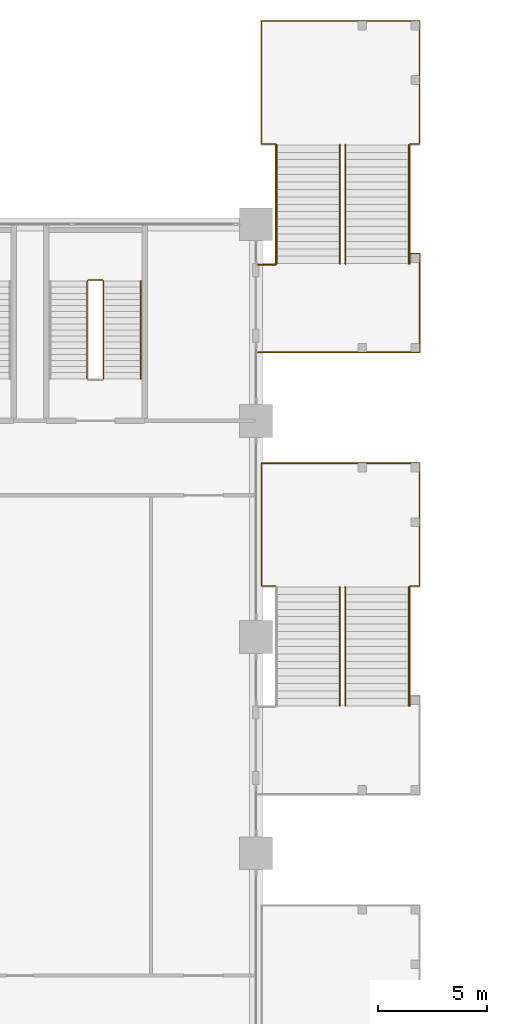
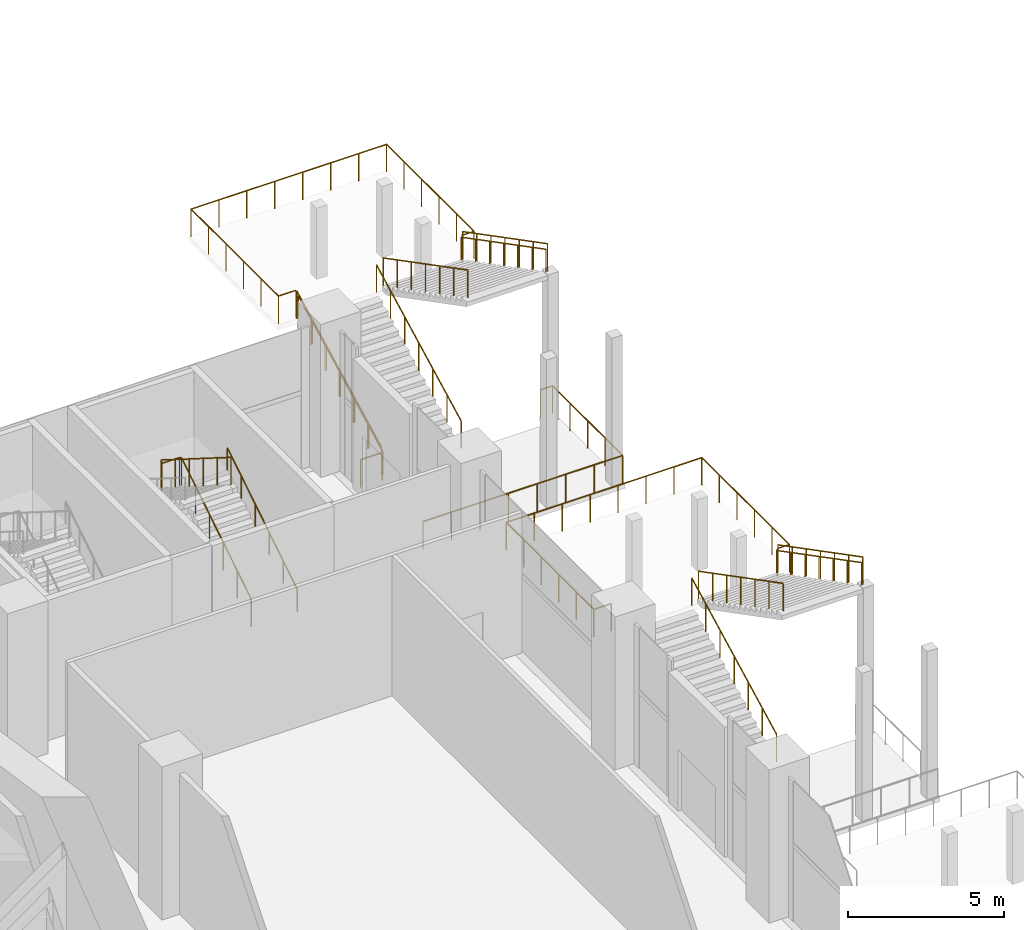
# One storey, part 44 of 47: 16 railings.
"""IFC4 building model written with IfcOpenShell, lengths in metres."""

from ifc_helpers import new_model, si_unit, direction, frame, origin, origin_2d, place, context, subcontext, project, spatial, circle, extrude, material, type_object, element, save


model = new_model("IFC4")

# Units and contexts
model_context = context("Model", 3, precision=1e-05, world=origin(), true_north=direction((0.0, 1.0)))
body_context = subcontext(model_context, "Body", "Model", "MODEL_VIEW")
ifc_project = project(units=[si_unit("LENGTHUNIT", "METRE"), si_unit("AREAUNIT", "SQUARE_METRE"), si_unit("VOLUMEUNIT", "CUBIC_METRE"), si_unit("PLANEANGLEUNIT", "RADIAN"), si_unit("MASSUNIT", "GRAM", prefix="KILO")], contexts=[model_context])

# Site, building, storey
site_placement = place(None, origin())
site = spatial("IfcSite", under=ifc_project, at=site_placement, CompositionType="ELEMENT")
building_placement = place(site_placement, origin())
building = spatial("IfcBuilding", under=site, at=building_placement, Name="Candeia Pilgrim Tower and Theatre", CompositionType="ELEMENT")
storey_placement = place(building_placement, frame((0.0, 0.0, 23.0)))
storey = spatial("IfcBuildingStorey", under=building, at=storey_placement, Name="L03", CompositionType="ELEMENT", Elevation=23.0)

# Railings
ifc_material_1 = material(Name="Stainless steel balustrade", Category="steel")
railing_type_1 = type_object("IfcRailingType", Name="RL-GUARD-1100", PredefinedType="GUARDRAIL", material=ifc_material_1)
railing_1_placement = place(storey_placement, frame((152.625, 137.72509765625, 0.176513671875)))
element("IfcRailing", 1, at=railing_1_placement, inside=storey, type_object=railing_type_1, Name="L03 PS4 stair guard 1", PredefinedType="GUARDRAIL", context=body_context, shape_type="SweptSolid", body=[
    extrude(circle(Radius=0.02392578125, at=origin_2d()), frame((0.0, 0.0, 1.076171875), z_axis=(0.0, 0.845997938375, 0.533186166611), x_axis=(-1.0, 0.0, 0.0)), (0.0, 0.0, 1.0), 5.29541015625),
    extrude(circle(Radius=0.02392578125, at=origin_2d()), frame((0.0, 4.47998046875, 3.8994140625), z_axis=(-0.708833529934, 0.705375805398, 0.0), x_axis=(-0.705375805398, -0.708833529934, 0.0)), (0.0, 0.0, 1.0), 0.070556640625),
    extrude(circle(Radius=0.02392578125, at=origin_2d()), frame((-0.050048828125, 4.52978515625, 3.8994140625), z_axis=(-1.0, 0.0, 0.0), x_axis=(0.0, -1.0, 0.0)), (0.0, 0.0, 1.0), 0.64990234375),
    extrude(circle(Radius=0.02392578125, at=origin_2d()), frame((-0.699951171875, 4.52978515625, 3.8994140625), z_axis=(-0.263260079301, -0.261975883792, 0.928473352853), x_axis=(0.705375805398, -0.708833529934, 0.0)), (0.0, 0.0, 1.0), 0.190185546875),
    extrude(circle(Radius=0.02392578125, at=origin_2d()), frame((-0.75, 4.47998046875, 4.076171875), z_axis=(0.0, -0.845997938375, 0.533186166611), x_axis=(1.0, 0.0, 0.0)), (0.0, 0.0, 1.0), 5.29541015625),
    extrude(circle(Radius=0.02099609375, at=origin_2d()), origin(), (0.0, 0.0, 1.0), 1.052001953125),
    extrude(circle(Radius=0.02099609375, at=origin_2d()), frame((0.0, 0.89599609375, 0.564697265625)), (0.0, 0.0, 1.0), 1.052001953125),
    extrude(circle(Radius=0.02099609375, at=origin_2d()), frame((0.0, 1.7919921875, 1.12939453125)), (0.0, 0.0, 1.0), 1.052001953125),
    extrude(circle(Radius=0.02099609375, at=origin_2d()), frame((0.0, 2.68798828125, 1.694091796875)), (0.0, 0.0, 1.0), 1.052001953125),
    extrude(circle(Radius=0.02099609375, at=origin_2d()), frame((0.0, 3.583984375, 2.2587890625)), (0.0, 0.0, 1.0), 1.052001953125),
    extrude(circle(Radius=0.02099609375, at=origin_2d()), frame((0.0, 4.47998046875, 2.823486328125)), (0.0, 0.0, 1.0), 1.052001953125),
    extrude(circle(Radius=0.02099609375, at=origin_2d()), frame((-0.050048828125, 4.52978515625, 2.823486328125)), (0.0, 0.0, 1.0), 1.052001953125),
    extrude(circle(Radius=0.02099609375, at=origin_2d()), frame((-0.699951171875, 4.52978515625, 2.823486328125)), (0.0, 0.0, 1.0), 1.052001953125),
    extrude(circle(Radius=0.02099609375, at=origin_2d()), frame((-0.75, 4.47998046875, 3.0)), (0.0, 0.0, 1.0), 1.052001953125),
    extrude(circle(Radius=0.02099609375, at=origin_2d()), frame((-0.75, 3.583984375, 3.564697265625)), (0.0, 0.0, 1.0), 1.052001953125),
    extrude(circle(Radius=0.02099609375, at=origin_2d()), frame((-0.75, 2.68798828125, 4.12939453125)), (0.0, 0.0, 1.0), 1.052001953125),
    extrude(circle(Radius=0.02099609375, at=origin_2d()), frame((-0.75, 1.7919921875, 4.694091796875)), (0.0, 0.0, 1.0), 1.052001953125),
    extrude(circle(Radius=0.02099609375, at=origin_2d()), frame((-0.75, 0.89599609375, 5.2587890625)), (0.0, 0.0, 1.0), 1.052001953125),
    extrude(circle(Radius=0.02099609375, at=origin_2d()), frame((-0.75, 0.0, 5.823486328125)), (0.0, 0.0, 1.0), 1.052001953125),
])
railing_2_placement = place(storey_placement, frame((163.449951171875, 143.0, 0.176513671875)))
element("IfcRailing", 2, at=railing_2_placement, inside=storey, type_object=railing_type_1, Name="L03 ES2 stair guard 1", PredefinedType="GUARDRAIL", context=body_context, shape_type="SweptSolid", body=[
    extrude(circle(Radius=0.02392578125, at=origin_2d()), frame((0.0, 0.0, 1.076171875), z_axis=(0.0, 0.887569374008, 0.460674078198), x_axis=(-1.0, 0.0, 0.0)), (0.0, 0.0, 1.0), 6.129150390625),
    extrude(circle(Radius=0.02099609375, at=origin_2d()), origin(), (0.0, 0.0, 1.0), 1.052001953125),
    extrude(circle(Radius=0.02099609375, at=origin_2d()), frame((0.0, 0.90673828125, 0.470703125)), (0.0, 0.0, 1.0), 1.052001953125),
    extrude(circle(Radius=0.02099609375, at=origin_2d()), frame((0.0, 1.813232421875, 0.941162109375)), (0.0, 0.0, 1.0), 1.052001953125),
    extrude(circle(Radius=0.02099609375, at=origin_2d()), frame((0.0, 2.719970703125, 1.41162109375)), (0.0, 0.0, 1.0), 1.052001953125),
    extrude(circle(Radius=0.02099609375, at=origin_2d()), frame((0.0, 3.626708984375, 1.88232421875)), (0.0, 0.0, 1.0), 1.052001953125),
    extrude(circle(Radius=0.02099609375, at=origin_2d()), frame((0.0, 4.533203125, 2.35302734375)), (0.0, 0.0, 1.0), 1.052001953125),
    extrude(circle(Radius=0.02099609375, at=origin_2d()), frame((0.0, 5.43994140625, 2.823486328125)), (0.0, 0.0, 1.0), 1.052001953125),
])
railing_3_placement = place(storey_placement, frame((163.699951171875, 148.43994140625, 3.176513671875)))
element("IfcRailing", 3, at=railing_3_placement, inside=storey, type_object=railing_type_1, Name="L03 ES2 stair guard 2", PredefinedType="GUARDRAIL", context=body_context, shape_type="SweptSolid", body=[
    extrude(circle(Radius=0.02392578125, at=origin_2d()), frame((0.0, 0.0, 1.076171875), z_axis=(0.0, -0.887569374008, 0.460674078198), x_axis=(1.0, 0.0, 0.0)), (0.0, 0.0, 1.0), 6.129150390625),
    extrude(circle(Radius=0.02099609375, at=origin_2d()), origin(), (0.0, 0.0, 1.0), 1.052001953125),
    extrude(circle(Radius=0.02099609375, at=origin_2d()), frame((0.0, -0.90673828125, 0.470703125)), (0.0, 0.0, 1.0), 1.052001953125),
    extrude(circle(Radius=0.02099609375, at=origin_2d()), frame((0.0, -1.813232421875, 0.941162109375)), (0.0, 0.0, 1.0), 1.052001953125),
    extrude(circle(Radius=0.02099609375, at=origin_2d()), frame((0.0, -2.719970703125, 1.41162109375)), (0.0, 0.0, 1.0), 1.052001953125),
    extrude(circle(Radius=0.02099609375, at=origin_2d()), frame((0.0, -3.626708984375, 1.88232421875)), (0.0, 0.0, 1.0), 1.052001953125),
    extrude(circle(Radius=0.02099609375, at=origin_2d()), frame((0.0, -4.533203125, 2.35302734375)), (0.0, 0.0, 1.0), 1.052001953125),
    extrude(circle(Radius=0.02099609375, at=origin_2d()), frame((0.0, -5.43994140625, 2.823486328125)), (0.0, 0.0, 1.0), 1.052001953125),
])
railing_4_placement = place(storey_placement, frame((160.5, 143.0, 0.176513671875)))
element("IfcRailing", 4, at=railing_4_placement, inside=storey, type_object=railing_type_1, Name="L03 ES2 stair guard 3", PredefinedType="GUARDRAIL", context=body_context, shape_type="SweptSolid", body=[
    extrude(circle(Radius=0.02392578125, at=origin_2d()), frame((0.0, 0.0, 1.076171875), z_axis=(0.0, 0.887569374008, 0.460674078198), x_axis=(-1.0, 0.0, 0.0)), (0.0, 0.0, 1.0), 6.129150390625),
    extrude(circle(Radius=0.02099609375, at=origin_2d()), origin(), (0.0, 0.0, 1.0), 1.052001953125),
    extrude(circle(Radius=0.02099609375, at=origin_2d()), frame((0.0, 0.90673828125, 0.470703125)), (0.0, 0.0, 1.0), 1.052001953125),
    extrude(circle(Radius=0.02099609375, at=origin_2d()), frame((0.0, 1.813232421875, 0.941162109375)), (0.0, 0.0, 1.0), 1.052001953125),
    extrude(circle(Radius=0.02099609375, at=origin_2d()), frame((0.0, 2.719970703125, 1.41162109375)), (0.0, 0.0, 1.0), 1.052001953125),
    extrude(circle(Radius=0.02099609375, at=origin_2d()), frame((0.0, 3.626708984375, 1.88232421875)), (0.0, 0.0, 1.0), 1.052001953125),
    extrude(circle(Radius=0.02099609375, at=origin_2d()), frame((0.0, 4.533203125, 2.35302734375)), (0.0, 0.0, 1.0), 1.052001953125),
    extrude(circle(Radius=0.02099609375, at=origin_2d()), frame((0.0, 5.43994140625, 2.823486328125)), (0.0, 0.0, 1.0), 1.052001953125),
])
railing_5_placement = place(storey_placement, frame((166.64990234375, 148.43994140625, 3.176513671875)))
element("IfcRailing", 5, at=railing_5_placement, inside=storey, type_object=railing_type_1, Name="L03 ES2 stair guard 4", PredefinedType="GUARDRAIL", context=body_context, shape_type="SweptSolid", body=[
    extrude(circle(Radius=0.02392578125, at=origin_2d()), frame((0.0, 0.0, 1.076171875), z_axis=(0.0, -0.887569374008, 0.460674078198), x_axis=(1.0, 0.0, 0.0)), (0.0, 0.0, 1.0), 6.129150390625),
    extrude(circle(Radius=0.02099609375, at=origin_2d()), origin(), (0.0, 0.0, 1.0), 1.052001953125),
    extrude(circle(Radius=0.02099609375, at=origin_2d()), frame((0.0, -0.90673828125, 0.470703125)), (0.0, 0.0, 1.0), 1.052001953125),
    extrude(circle(Radius=0.02099609375, at=origin_2d()), frame((0.0, -1.813232421875, 0.941162109375)), (0.0, 0.0, 1.0), 1.052001953125),
    extrude(circle(Radius=0.02099609375, at=origin_2d()), frame((0.0, -2.719970703125, 1.41162109375)), (0.0, 0.0, 1.0), 1.052001953125),
    extrude(circle(Radius=0.02099609375, at=origin_2d()), frame((0.0, -3.626708984375, 1.88232421875)), (0.0, 0.0, 1.0), 1.052001953125),
    extrude(circle(Radius=0.02099609375, at=origin_2d()), frame((0.0, -4.533203125, 2.35302734375)), (0.0, 0.0, 1.0), 1.052001953125),
    extrude(circle(Radius=0.02099609375, at=origin_2d()), frame((0.0, -5.43994140625, 2.823486328125)), (0.0, 0.0, 1.0), 1.052001953125),
])
railing_6_placement = place(storey_placement, frame((160.5, 148.489990234375, 3.0)))
element("IfcRailing", 6, at=railing_6_placement, inside=storey, type_object=railing_type_1, Name="L03 ES2 stair guard 5", PredefinedType="GUARDRAIL", context=body_context, shape_type="SweptSolid", body=[
    extrude(circle(Radius=0.02392578125, at=origin_2d()), frame((0.0, 0.0, 1.076171875), z_axis=(-1.0, 0.0, 0.0), x_axis=(0.0, -1.0, 0.0)), (0.0, 0.0, 1.0), 0.64990234375),
    extrude(circle(Radius=0.02392578125, at=origin_2d()), frame((-0.64990234375, 0.0, 1.076171875), z_axis=(0.0, 1.0, 0.0), x_axis=(-1.0, 0.0, 0.0)), (0.0, 0.0, 1.0), 5.6201171875),
    extrude(circle(Radius=0.02392578125, at=origin_2d()), frame((-0.64990234375, 5.6201171875, 1.076171875), z_axis=(1.0, 0.0, 0.0), x_axis=(0.0, 1.0, 0.0)), (0.0, 0.0, 1.0), 7.25),
    extrude(circle(Radius=0.02392578125, at=origin_2d()), frame((6.60009765625, 5.6201171875, 1.076171875), z_axis=(0.0, -1.0, 0.0), x_axis=(1.0, 0.0, 0.0)), (0.0, 0.0, 1.0), 5.6201171875),
    extrude(circle(Radius=0.02392578125, at=origin_2d()), frame((6.60009765625, 0.0, 1.076171875), z_axis=(-1.0, 0.0, 0.0), x_axis=(0.0, -1.0, 0.0)), (0.0, 0.0, 1.0), 0.4501953125),
    extrude(circle(Radius=0.02099609375, at=origin_2d()), origin(), (0.0, 0.0, 1.0), 1.052001953125),
    extrude(circle(Radius=0.02099609375, at=origin_2d()), frame((-0.64990234375, 0.0, 0.0)), (0.0, 0.0, 1.0), 1.052001953125),
    extrude(circle(Radius=0.02099609375, at=origin_2d()), frame((-0.64990234375, 1.1240234375, 0.0)), (0.0, 0.0, 1.0), 1.052001953125),
    extrude(circle(Radius=0.02099609375, at=origin_2d()), frame((-0.64990234375, 2.248046875, 0.0)), (0.0, 0.0, 1.0), 1.052001953125),
    extrude(circle(Radius=0.02099609375, at=origin_2d()), frame((-0.64990234375, 3.3720703125, 0.0)), (0.0, 0.0, 1.0), 1.052001953125),
    extrude(circle(Radius=0.02099609375, at=origin_2d()), frame((-0.64990234375, 4.49609375, 0.0)), (0.0, 0.0, 1.0), 1.052001953125),
    extrude(circle(Radius=0.02099609375, at=origin_2d()), frame((-0.64990234375, 5.6201171875, 0.0)), (0.0, 0.0, 1.0), 1.052001953125),
    extrude(circle(Radius=0.02099609375, at=origin_2d()), frame((0.3857421875, 5.6201171875, 0.0)), (0.0, 0.0, 1.0), 1.052001953125),
    extrude(circle(Radius=0.02099609375, at=origin_2d()), frame((1.421630859375, 5.6201171875, 0.0)), (0.0, 0.0, 1.0), 1.052001953125),
    extrude(circle(Radius=0.02099609375, at=origin_2d()), frame((2.457275390625, 5.6201171875, 0.0)), (0.0, 0.0, 1.0), 1.052001953125),
    extrude(circle(Radius=0.02099609375, at=origin_2d()), frame((3.492919921875, 5.6201171875, 0.0)), (0.0, 0.0, 1.0), 1.052001953125),
    extrude(circle(Radius=0.02099609375, at=origin_2d()), frame((4.528564453125, 5.6201171875, 0.0)), (0.0, 0.0, 1.0), 1.052001953125),
    extrude(circle(Radius=0.02099609375, at=origin_2d()), frame((5.564453125, 5.6201171875, 0.0)), (0.0, 0.0, 1.0), 1.052001953125),
    extrude(circle(Radius=0.02099609375, at=origin_2d()), frame((6.60009765625, 5.6201171875, 0.0)), (0.0, 0.0, 1.0), 1.052001953125),
    extrude(circle(Radius=0.02099609375, at=origin_2d()), frame((6.60009765625, 4.49609375, 0.0)), (0.0, 0.0, 1.0), 1.052001953125),
    extrude(circle(Radius=0.02099609375, at=origin_2d()), frame((6.60009765625, 3.3720703125, 0.0)), (0.0, 0.0, 1.0), 1.052001953125),
    extrude(circle(Radius=0.02099609375, at=origin_2d()), frame((6.60009765625, 2.248046875, 0.0)), (0.0, 0.0, 1.0), 1.052001953125),
    extrude(circle(Radius=0.02099609375, at=origin_2d()), frame((6.60009765625, 1.1240234375, 0.0)), (0.0, 0.0, 1.0), 1.052001953125),
    extrude(circle(Radius=0.02099609375, at=origin_2d()), frame((6.60009765625, 0.0, 0.0)), (0.0, 0.0, 1.0), 1.052001953125),
    extrude(circle(Radius=0.02099609375, at=origin_2d()), frame((6.14990234375, 0.0, 0.0)), (0.0, 0.0, 1.0), 1.052001953125),
])
railing_7_placement = place(storey_placement, frame((159.699951171875, 138.949951171875, 0.0)))
element("IfcRailing", 7, at=railing_7_placement, inside=storey, type_object=railing_type_1, Name="L03 External escape stair ES2 landing guard", PredefinedType="GUARDRAIL", context=body_context, shape_type="SweptSolid", body=[
    extrude(circle(Radius=0.02392578125, at=origin_2d()), frame((0.0, 0.0, 1.076171875), z_axis=(1.0, 0.0, 0.0), x_axis=(0.0, 1.0, 0.0)), (0.0, 0.0, 1.0), 7.400146484375),
    extrude(circle(Radius=0.02392578125, at=origin_2d()), frame((7.400146484375, 0.0, 1.076171875), z_axis=(0.0, 1.0, 0.0), x_axis=(-1.0, 0.0, 0.0)), (0.0, 0.0, 1.0), 4.5),
    extrude(circle(Radius=0.02392578125, at=origin_2d()), frame((7.400146484375, 4.5, 1.076171875), z_axis=(-1.0, 0.0, 0.0), x_axis=(0.0, -1.0, 0.0)), (0.0, 0.0, 1.0), 0.4501953125),
    extrude(circle(Radius=0.02099609375, at=origin_2d()), origin(), (0.0, 0.0, 1.0), 1.052001953125),
    extrude(circle(Radius=0.02099609375, at=origin_2d()), frame((1.05712890625, 0.0, 0.0)), (0.0, 0.0, 1.0), 1.052001953125),
    extrude(circle(Radius=0.02099609375, at=origin_2d()), frame((2.1142578125, 0.0, 0.0)), (0.0, 0.0, 1.0), 1.052001953125),
    extrude(circle(Radius=0.02099609375, at=origin_2d()), frame((3.17138671875, 0.0, 0.0)), (0.0, 0.0, 1.0), 1.052001953125),
    extrude(circle(Radius=0.02099609375, at=origin_2d()), frame((4.228759765625, 0.0, 0.0)), (0.0, 0.0, 1.0), 1.052001953125),
    extrude(circle(Radius=0.02099609375, at=origin_2d()), frame((5.285888671875, 0.0, 0.0)), (0.0, 0.0, 1.0), 1.052001953125),
    extrude(circle(Radius=0.02099609375, at=origin_2d()), frame((6.343017578125, 0.0, 0.0)), (0.0, 0.0, 1.0), 1.052001953125),
    extrude(circle(Radius=0.02099609375, at=origin_2d()), frame((7.400146484375, 0.0, 0.0)), (0.0, 0.0, 1.0), 1.052001953125),
    extrude(circle(Radius=0.02099609375, at=origin_2d()), frame((7.400146484375, 1.125, 0.0)), (0.0, 0.0, 1.0), 1.052001953125),
    extrude(circle(Radius=0.02099609375, at=origin_2d()), frame((7.400146484375, 2.25, 0.0)), (0.0, 0.0, 1.0), 1.052001953125),
    extrude(circle(Radius=0.02099609375, at=origin_2d()), frame((7.400146484375, 3.375, 0.0)), (0.0, 0.0, 1.0), 1.052001953125),
    extrude(circle(Radius=0.02099609375, at=origin_2d()), frame((7.400146484375, 4.5, 0.0)), (0.0, 0.0, 1.0), 1.052001953125),
    extrude(circle(Radius=0.02099609375, at=origin_2d()), frame((6.949951171875, 4.5, 0.0)), (0.0, 0.0, 1.0), 1.052001953125),
])
railing_8_placement = place(storey_placement, frame((159.699951171875, 142.949951171875, 0.0)))
element("IfcRailing", 8, at=railing_8_placement, inside=storey, type_object=railing_type_1, Name="L03 External escape stair ES2 bridge guard", PredefinedType="GUARDRAIL", context=body_context, shape_type="SweptSolid", body=[
    extrude(circle(Radius=0.02392578125, at=origin_2d()), frame((0.0, 0.0, 1.076171875), z_axis=(1.0, 0.0, 0.0), x_axis=(0.0, 1.0, 0.0)), (0.0, 0.0, 1.0), 0.800048828125),
    extrude(circle(Radius=0.02099609375, at=origin_2d()), origin(), (0.0, 0.0, 1.0), 1.052001953125),
    extrude(circle(Radius=0.02099609375, at=origin_2d()), frame((0.800048828125, 0.0, 0.0)), (0.0, 0.0, 1.0), 1.052001953125),
])
railing_9_placement = place(storey_placement, frame((163.449951171875, 122.75, 0.176513671875)))
element("IfcRailing", 9, at=railing_9_placement, inside=storey, type_object=railing_type_1, Name="L03 ES14 stair guard 1", PredefinedType="GUARDRAIL", context=body_context, shape_type="SweptSolid", body=[
    extrude(circle(Radius=0.02392578125, at=origin_2d()), frame((0.0, 0.0, 1.076171875), z_axis=(0.0, 0.887569374008, 0.460674078198), x_axis=(-1.0, 0.0, 0.0)), (0.0, 0.0, 1.0), 6.129150390625),
    extrude(circle(Radius=0.02099609375, at=origin_2d()), origin(), (0.0, 0.0, 1.0), 1.052001953125),
    extrude(circle(Radius=0.02099609375, at=origin_2d()), frame((0.0, 0.90673828125, 0.470703125)), (0.0, 0.0, 1.0), 1.052001953125),
    extrude(circle(Radius=0.02099609375, at=origin_2d()), frame((0.0, 1.813232421875, 0.941162109375)), (0.0, 0.0, 1.0), 1.052001953125),
    extrude(circle(Radius=0.02099609375, at=origin_2d()), frame((0.0, 2.719970703125, 1.41162109375)), (0.0, 0.0, 1.0), 1.052001953125),
    extrude(circle(Radius=0.02099609375, at=origin_2d()), frame((0.0, 3.626708984375, 1.88232421875)), (0.0, 0.0, 1.0), 1.052001953125),
    extrude(circle(Radius=0.02099609375, at=origin_2d()), frame((0.0, 4.533203125, 2.35302734375)), (0.0, 0.0, 1.0), 1.052001953125),
    extrude(circle(Radius=0.02099609375, at=origin_2d()), frame((0.0, 5.43994140625, 2.823486328125)), (0.0, 0.0, 1.0), 1.052001953125),
])
for number, where, name in (
    (10, (163.699951171875, 128.18994140625, 3.176513671875), "L03 ES14 stair guard 2"),
    (11, (166.64990234375, 128.18994140625, 3.176513671875), "L03 ES14 stair guard 4"),
):
    element("IfcRailing", number, at=place(storey_placement, frame(where)), inside=storey, type_object=railing_type_1, Name=name, PredefinedType="GUARDRAIL", context=body_context, shape_type="SweptSolid", body=[
        extrude(circle(Radius=0.02392578125, at=origin_2d()), frame((0.0, 0.0, 1.076171875), z_axis=(0.0, -0.887569374008, 0.460674078198), x_axis=(1.0, 0.0, 0.0)), (0.0, 0.0, 1.0), 6.129150390625),
        extrude(circle(Radius=0.02099609375, at=origin_2d()), origin(), (0.0, 0.0, 1.0), 1.052001953125),
        extrude(circle(Radius=0.02099609375, at=origin_2d()), frame((0.0, -0.90673828125, 0.470703125)), (0.0, 0.0, 1.0), 1.052001953125),
        extrude(circle(Radius=0.02099609375, at=origin_2d()), frame((0.0, -1.813232421875, 0.941162109375)), (0.0, 0.0, 1.0), 1.052001953125),
        extrude(circle(Radius=0.02099609375, at=origin_2d()), frame((0.0, -2.719970703125, 1.41162109375)), (0.0, 0.0, 1.0), 1.052001953125),
        extrude(circle(Radius=0.02099609375, at=origin_2d()), frame((0.0, -3.626708984375, 1.88232421875)), (0.0, 0.0, 1.0), 1.052001953125),
        extrude(circle(Radius=0.02099609375, at=origin_2d()), frame((0.0, -4.533203125, 2.35302734375)), (0.0, 0.0, 1.0), 1.052001953125),
        extrude(circle(Radius=0.02099609375, at=origin_2d()), frame((0.0, -5.43994140625, 2.823486328125)), (0.0, 0.0, 1.0), 1.052001953125),
    ])
railing_10_placement = place(storey_placement, frame((160.5, 128.239990234375, 3.0)))
element("IfcRailing", 12, at=railing_10_placement, inside=storey, type_object=railing_type_1, Name="L03 ES14 stair guard 5", PredefinedType="GUARDRAIL", context=body_context, shape_type="SweptSolid", body=[
    extrude(circle(Radius=0.02392578125, at=origin_2d()), frame((0.0, 0.0, 1.076171875), z_axis=(-1.0, 0.0, 0.0), x_axis=(0.0, -1.0, 0.0)), (0.0, 0.0, 1.0), 0.64990234375),
    extrude(circle(Radius=0.02392578125, at=origin_2d()), frame((-0.64990234375, 0.0, 1.076171875), z_axis=(0.0, 1.0, 0.0), x_axis=(-1.0, 0.0, 0.0)), (0.0, 0.0, 1.0), 5.6201171875),
    extrude(circle(Radius=0.02392578125, at=origin_2d()), frame((-0.64990234375, 5.6201171875, 1.076171875), z_axis=(1.0, 0.0, 0.0), x_axis=(0.0, 1.0, 0.0)), (0.0, 0.0, 1.0), 7.25),
    extrude(circle(Radius=0.02392578125, at=origin_2d()), frame((6.60009765625, 5.6201171875, 1.076171875), z_axis=(0.0, -1.0, 0.0), x_axis=(1.0, 0.0, 0.0)), (0.0, 0.0, 1.0), 5.6201171875),
    extrude(circle(Radius=0.02392578125, at=origin_2d()), frame((6.60009765625, 0.0, 1.076171875), z_axis=(-1.0, 0.0, 0.0), x_axis=(0.0, -1.0, 0.0)), (0.0, 0.0, 1.0), 0.4501953125),
    extrude(circle(Radius=0.02099609375, at=origin_2d()), origin(), (0.0, 0.0, 1.0), 1.052001953125),
    extrude(circle(Radius=0.02099609375, at=origin_2d()), frame((-0.64990234375, 0.0, 0.0)), (0.0, 0.0, 1.0), 1.052001953125),
    extrude(circle(Radius=0.02099609375, at=origin_2d()), frame((-0.64990234375, 1.1240234375, 0.0)), (0.0, 0.0, 1.0), 1.052001953125),
    extrude(circle(Radius=0.02099609375, at=origin_2d()), frame((-0.64990234375, 2.248046875, 0.0)), (0.0, 0.0, 1.0), 1.052001953125),
    extrude(circle(Radius=0.02099609375, at=origin_2d()), frame((-0.64990234375, 3.3720703125, 0.0)), (0.0, 0.0, 1.0), 1.052001953125),
    extrude(circle(Radius=0.02099609375, at=origin_2d()), frame((-0.64990234375, 4.49609375, 0.0)), (0.0, 0.0, 1.0), 1.052001953125),
    extrude(circle(Radius=0.02099609375, at=origin_2d()), frame((-0.64990234375, 5.6201171875, 0.0)), (0.0, 0.0, 1.0), 1.052001953125),
    extrude(circle(Radius=0.02099609375, at=origin_2d()), frame((0.3857421875, 5.6201171875, 0.0)), (0.0, 0.0, 1.0), 1.052001953125),
    extrude(circle(Radius=0.02099609375, at=origin_2d()), frame((1.421630859375, 5.6201171875, 0.0)), (0.0, 0.0, 1.0), 1.052001953125),
    extrude(circle(Radius=0.02099609375, at=origin_2d()), frame((2.457275390625, 5.6201171875, 0.0)), (0.0, 0.0, 1.0), 1.052001953125),
    extrude(circle(Radius=0.02099609375, at=origin_2d()), frame((3.492919921875, 5.6201171875, 0.0)), (0.0, 0.0, 1.0), 1.052001953125),
    extrude(circle(Radius=0.02099609375, at=origin_2d()), frame((4.528564453125, 5.6201171875, 0.0)), (0.0, 0.0, 1.0), 1.052001953125),
    extrude(circle(Radius=0.02099609375, at=origin_2d()), frame((5.564453125, 5.6201171875, 0.0)), (0.0, 0.0, 1.0), 1.052001953125),
    extrude(circle(Radius=0.02099609375, at=origin_2d()), frame((6.60009765625, 5.6201171875, 0.0)), (0.0, 0.0, 1.0), 1.052001953125),
    extrude(circle(Radius=0.02099609375, at=origin_2d()), frame((6.60009765625, 4.49609375, 0.0)), (0.0, 0.0, 1.0), 1.052001953125),
    extrude(circle(Radius=0.02099609375, at=origin_2d()), frame((6.60009765625, 3.3720703125, 0.0)), (0.0, 0.0, 1.0), 1.052001953125),
    extrude(circle(Radius=0.02099609375, at=origin_2d()), frame((6.60009765625, 2.248046875, 0.0)), (0.0, 0.0, 1.0), 1.052001953125),
    extrude(circle(Radius=0.02099609375, at=origin_2d()), frame((6.60009765625, 1.1240234375, 0.0)), (0.0, 0.0, 1.0), 1.052001953125),
    extrude(circle(Radius=0.02099609375, at=origin_2d()), frame((6.60009765625, 0.0, 0.0)), (0.0, 0.0, 1.0), 1.052001953125),
    extrude(circle(Radius=0.02099609375, at=origin_2d()), frame((6.14990234375, 0.0, 0.0)), (0.0, 0.0, 1.0), 1.052001953125),
])
ifc_material_2 = material(Name="Stainless steel handrail", Category="steel")
railing_type_2 = type_object("IfcRailingType", Name="RL-HANDRAIL-900", PredefinedType="HANDRAIL", material=ifc_material_2)
railing_11_placement = place(storey_placement, frame((154.324951171875, 137.72509765625, 0.176513671875)))
element("IfcRailing", 13, at=railing_11_placement, inside=storey, type_object=railing_type_2, Name="L03 PS4 stair handrail 1", PredefinedType="HANDRAIL", context=body_context, shape_type="SweptSolid", body=[
    extrude(circle(Radius=0.02392578125, at=origin_2d()), frame((0.0, 0.0, 0.8759765625), z_axis=(0.0, 0.845997938375, 0.533186166611), x_axis=(-1.0, 0.0, 0.0)), (0.0, 0.0, 1.0), 5.29541015625),
    extrude(circle(Radius=0.02099609375, at=origin_2d()), origin(), (0.0, 0.0, 1.0), 0.851806640625),
    extrude(circle(Radius=0.02099609375, at=origin_2d()), frame((0.0, 0.89599609375, 0.564697265625)), (0.0, 0.0, 1.0), 0.851806640625),
    extrude(circle(Radius=0.02099609375, at=origin_2d()), frame((0.0, 1.7919921875, 1.12939453125)), (0.0, 0.0, 1.0), 0.851806640625),
    extrude(circle(Radius=0.02099609375, at=origin_2d()), frame((0.0, 2.68798828125, 1.694091796875)), (0.0, 0.0, 1.0), 0.851806640625),
    extrude(circle(Radius=0.02099609375, at=origin_2d()), frame((0.0, 3.583984375, 2.2587890625)), (0.0, 0.0, 1.0), 0.851806640625),
    extrude(circle(Radius=0.02099609375, at=origin_2d()), frame((0.0, 4.47998046875, 2.823486328125)), (0.0, 0.0, 1.0), 0.851806640625),
])
railing_12_placement = place(storey_placement, frame((160.550048828125, 143.0, 0.176513671875)))
element("IfcRailing", 14, at=railing_12_placement, inside=storey, type_object=railing_type_2, Name="L03 ES2 stair handrail 1", PredefinedType="HANDRAIL", context=body_context, shape_type="SweptSolid", body=[
    extrude(circle(Radius=0.02392578125, at=origin_2d()), frame((0.0, 0.0, 0.8759765625), z_axis=(0.0, 0.887569374008, 0.460674078198), x_axis=(-1.0, 0.0, 0.0)), (0.0, 0.0, 1.0), 6.129150390625),
    extrude(circle(Radius=0.02099609375, at=origin_2d()), origin(), (0.0, 0.0, 1.0), 0.851806640625),
    extrude(circle(Radius=0.02099609375, at=origin_2d()), frame((0.0, 0.90673828125, 0.470703125)), (0.0, 0.0, 1.0), 0.851806640625),
    extrude(circle(Radius=0.02099609375, at=origin_2d()), frame((0.0, 1.813232421875, 0.941162109375)), (0.0, 0.0, 1.0), 0.851806640625),
    extrude(circle(Radius=0.02099609375, at=origin_2d()), frame((0.0, 2.719970703125, 1.41162109375)), (0.0, 0.0, 1.0), 0.851806640625),
    extrude(circle(Radius=0.02099609375, at=origin_2d()), frame((0.0, 3.626708984375, 1.88232421875)), (0.0, 0.0, 1.0), 0.851806640625),
    extrude(circle(Radius=0.02099609375, at=origin_2d()), frame((0.0, 4.533203125, 2.35302734375)), (0.0, 0.0, 1.0), 0.851806640625),
    extrude(circle(Radius=0.02099609375, at=origin_2d()), frame((0.0, 5.43994140625, 2.823486328125)), (0.0, 0.0, 1.0), 0.851806640625),
])
for number, where, name in (
    (15, (166.60009765625, 148.43994140625, 3.176513671875), "L03 ES2 stair handrail 2"),
    (16, (166.60009765625, 128.18994140625, 3.176513671875), "L03 ES14 stair handrail 2"),
):
    element("IfcRailing", number, at=place(storey_placement, frame(where)), inside=storey, type_object=railing_type_2, Name=name, PredefinedType="HANDRAIL", context=body_context, shape_type="SweptSolid", body=[
        extrude(circle(Radius=0.02392578125, at=origin_2d()), frame((0.0, 0.0, 0.8759765625), z_axis=(0.0, -0.887569374008, 0.460674078198), x_axis=(1.0, 0.0, 0.0)), (0.0, 0.0, 1.0), 6.129150390625),
        extrude(circle(Radius=0.02099609375, at=origin_2d()), origin(), (0.0, 0.0, 1.0), 0.851806640625),
        extrude(circle(Radius=0.02099609375, at=origin_2d()), frame((0.0, -0.90673828125, 0.470703125)), (0.0, 0.0, 1.0), 0.851806640625),
        extrude(circle(Radius=0.02099609375, at=origin_2d()), frame((0.0, -1.813232421875, 0.941162109375)), (0.0, 0.0, 1.0), 0.851806640625),
        extrude(circle(Radius=0.02099609375, at=origin_2d()), frame((0.0, -2.719970703125, 1.41162109375)), (0.0, 0.0, 1.0), 0.851806640625),
        extrude(circle(Radius=0.02099609375, at=origin_2d()), frame((0.0, -3.626708984375, 1.88232421875)), (0.0, 0.0, 1.0), 0.851806640625),
        extrude(circle(Radius=0.02099609375, at=origin_2d()), frame((0.0, -4.533203125, 2.35302734375)), (0.0, 0.0, 1.0), 0.851806640625),
        extrude(circle(Radius=0.02099609375, at=origin_2d()), frame((0.0, -5.43994140625, 2.823486328125)), (0.0, 0.0, 1.0), 0.851806640625),
    ])

save(model, "model.ifc")
